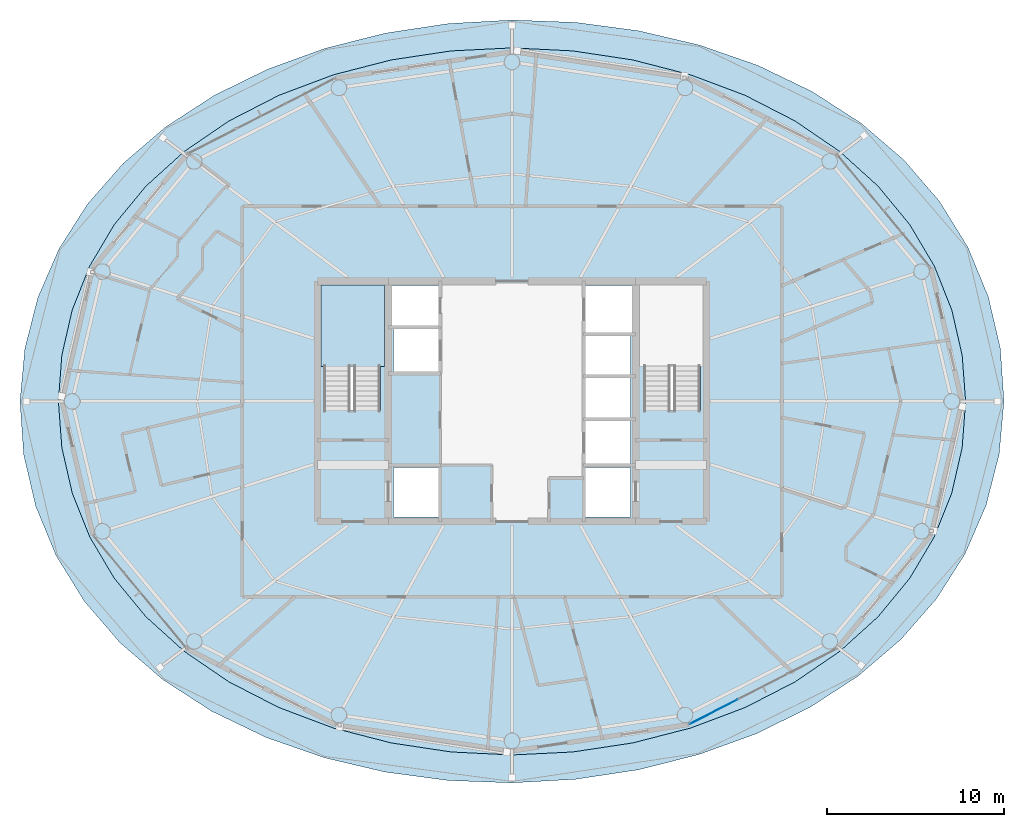
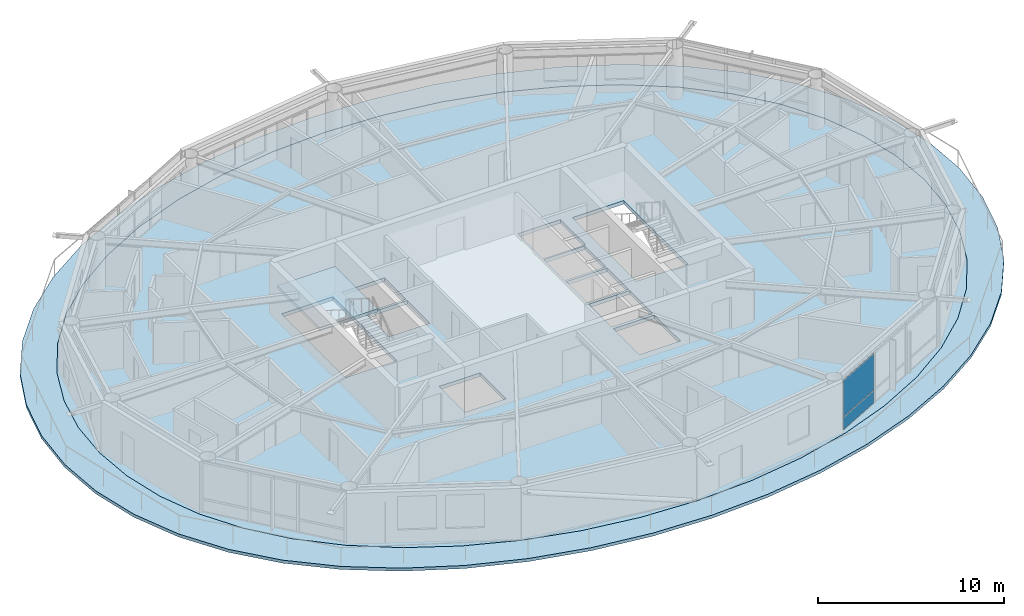
# One storey, part 13 of 22: 3 slabs, 2 plates, 2 elements without a shape of their own.
"""IFC4 building model written with IfcOpenShell, lengths in metres."""

from ifc_helpers import new_model, si_unit, direction, frame, origin, origin_2d, place, context, subcontext, project, spatial, polyline, rectangle, outline, extrude, material, layer, layer_set, type_object, element, aggregate, save


model = new_model("IFC4")

# Units and contexts
model_context = context("Model", 3, precision=1e-05, world=origin(), true_north=direction((0.0, 1.0)))
body_context = subcontext(model_context, "Body", "Model", "MODEL_VIEW")
ifc_project = project(units=[si_unit("LENGTHUNIT", "METRE"), si_unit("AREAUNIT", "SQUARE_METRE"), si_unit("VOLUMEUNIT", "CUBIC_METRE"), si_unit("PLANEANGLEUNIT", "RADIAN"), si_unit("MASSUNIT", "GRAM", prefix="KILO")], contexts=[model_context])

# Site, building, storey
site_placement = place(None, origin())
site = spatial("IfcSite", under=ifc_project, at=site_placement, CompositionType="ELEMENT")
building_placement = place(site_placement, origin())
building = spatial("IfcBuilding", under=site, at=building_placement, Name="Sarneth Arch Tower", CompositionType="ELEMENT")
storey_placement = place(building_placement, frame((0.0, 0.0, 210.0)))
storey = spatial("IfcBuildingStorey", under=building, at=storey_placement, Name="L53", CompositionType="ELEMENT", Elevation=210.0)

# Curtain wall, plates
ifc_material_1 = material(Name="Anodised aluminium Type AA25 and solar-control low-e laminated IGU", Category="aluminium")
ifc_layer_1 = layer(ifc_material_1, 0.179931640625)
ifc_layer_set_1 = layer_set([ifc_layer_1], Name="Anodised aluminium Type AA25 and solar-control low-e laminated IGU")
curtain_wall_type = type_object("IfcCurtainWallType", Name="CW-RES-HIGH", PredefinedType="NOTDEFINED", material=ifc_layer_set_1)
curtain_wall_placement = place(storey_placement, origin())
curtain_wall = element("IfcCurtainWall", 1, at=curtain_wall_placement, inside=storey, type_object=curtain_wall_type, Name="L53 Unitised curtain wall facet 14", PredefinedType="NOTDEFINED")
ifc_material_2 = material(Name="Solar-control low-e laminated IGU", Category="glass")
ifc_layer_2 = layer(ifc_material_2, 0.028076171875)
ifc_layer_set_2 = layer_set([ifc_layer_2], Name="Solar-control low-e laminated IGU")
plate_type = type_object("IfcPlateType", Name="CW-PANEL", PredefinedType="CURTAIN_PANEL", material=ifc_layer_set_2)
plate_1_placement = place(storey_placement, frame((59.4208984375, 24.447021484375, 0.06005859375), z_axis=(0.0, 0.0, 1.0), x_axis=(0.890009540525, 0.455941901753, 0.0)))
plate_1 = element("IfcPlate", 2, at=plate_1_placement, type_object=plate_type, Name="Curtain wall glazed vision pane CW-L53-F14/P00-00", PredefinedType="CURTAIN_PANEL", context=body_context, shape_type="SweptSolid", body=[
    extrude(rectangle(XDim=3.044677734375, YDim=0.028076171875, at=origin_2d()), origin(), (0.0, 0.0, 1.0), 0.81005859375),
])
plate_2_placement = place(storey_placement, frame((59.4208984375, 24.447021484375, 0.929931640625), z_axis=(0.0, 0.0, 1.0), x_axis=(0.890009540525, 0.455941901753, 0.0)))
plate_2 = element("IfcPlate", 3, at=plate_2_placement, type_object=plate_type, Name="Curtain wall glazed vision pane CW-L53-F14/P00-01", PredefinedType="CURTAIN_PANEL", context=body_context, shape_type="SweptSolid", body=[
    extrude(rectangle(XDim=3.044677734375, YDim=0.028076171875, at=origin_2d()), origin(), (0.0, 0.0, 1.0), 2.3701171875),
])
aggregate(curtain_wall, [plate_1, plate_2])

# Slab
ifc_material_3 = material(Name="Concrete C50/60", Category="concrete")
ifc_layer_3 = layer(ifc_material_3, 0.199951171875)
ifc_layer_set_3 = layer_set([ifc_layer_3], Name="Concrete C50/60")
slab_type_1 = type_object("IfcSlabType", Name="SLAB-BALC-200", PredefinedType="FLOOR", material=ifc_layer_set_3)
slab_1_placement = place(storey_placement, frame((0.0, 0.0, -0.199951171875)))
element("IfcSlab", 4, at=slab_1_placement, inside=storey, type_object=slab_type_1, Name="L53 Helical balcony band slab", PredefinedType="FLOOR", context=body_context, shape_type="SweptSolid", body=[
    extrude(outline(polyline([(75.832763671875, 42.0), (75.6279296875, 44.99658203125), (74.945556640625, 47.925537109375), (73.795166015625, 50.71533203125), (72.193359375, 53.308837890625), (70.1650390625, 55.6630859375), (67.74365234375, 57.74609375), (64.974609375, 59.53369140625), (61.91357421875, 61.0078125), (58.623046875, 62.155517578125), (55.1669921875, 62.96875), (51.60693359375, 63.443359375), (48.0, 63.578125), (44.39990234375, 63.375244140625), (40.859375, 62.83935546875), (37.432861328125, 61.97705078125), (34.177978515625, 60.7978515625), (31.1533203125, 59.312744140625), (28.415283203125, 57.534912109375), (26.013427734375, 55.48046875), (23.987548828125, 53.168701171875), (22.3681640625, 50.624267578125), (21.1787109375, 47.880615234375), (20.439453125, 44.984619140625), (20.167236328125, 42.0), (20.3720703125, 39.00341796875), (21.054443359375, 36.074462890625), (22.204833984375, 33.28466796875), (23.806640625, 30.691162109375), (25.8349609375, 28.3369140625), (28.25634765625, 26.25390625), (31.025390625, 24.46630859375), (34.08642578125, 22.9921875), (37.376953125, 21.844482421875), (40.8330078125, 21.03125), (44.39306640625, 20.556640625), (48.0, 20.421875), (51.60009765625, 20.624755859375), (55.140625, 21.16064453125), (58.567138671875, 22.02294921875), (61.822021484375, 23.2021484375), (64.8466796875, 24.687255859375), (67.584716796875, 26.465087890625), (69.986572265625, 28.51953125), (72.012451171875, 30.831298828125), (73.6318359375, 33.375732421875), (74.8212890625, 36.119384765625), (75.560546875, 39.015380859375), (75.832763671875, 42.0)]), holes=[polyline([(73.660888671875, 42.0), (73.466064453125, 44.610595703125), (72.87890625, 47.17626953125), (71.892822265625, 49.653564453125), (70.5029296875, 52.0), (68.712158203125, 54.17529296875), (66.536865234375, 56.14208984375), (64.009521484375, 57.8671875), (61.177001953125, 59.320556640625), (58.0966796875, 60.4775390625), (54.83203125, 61.318603515625), (51.44580078125, 61.828857421875), (48.0, 62.0), (44.55419921875, 61.828857421875), (41.16796875, 61.318603515625), (37.9033203125, 60.4775390625), (34.822998046875, 59.320556640625), (31.990478515625, 57.8671875), (29.463134765625, 56.14208984375), (27.287841796875, 54.17529296875), (25.4970703125, 52.0), (24.107177734375, 49.653564453125), (23.12109375, 47.17626953125), (22.533935546875, 44.610595703125), (22.339111328125, 42.0), (22.533935546875, 39.389404296875), (23.12109375, 36.82373046875), (24.107177734375, 34.346435546875), (25.4970703125, 32.0), (27.287841796875, 29.82470703125), (29.463134765625, 27.85791015625), (31.990478515625, 26.1328125), (34.822998046875, 24.679443359375), (37.9033203125, 23.5224609375), (41.16796875, 22.681396484375), (44.55419921875, 22.171142578125), (48.0, 22.0), (51.44580078125, 22.171142578125), (54.83203125, 22.681396484375), (58.0966796875, 23.5224609375), (61.177001953125, 24.679443359375), (64.009521484375, 26.1328125), (66.536865234375, 27.85791015625), (68.712158203125, 29.82470703125), (70.5029296875, 32.0), (71.892822265625, 34.346435546875), (72.87890625, 36.82373046875), (73.466064453125, 39.389404296875), (73.660888671875, 42.0)])]), origin(), (0.0, 0.0, 1.0), 0.199951171875),
])

# Stair, slab
ifc_material_4 = material(Name="Concrete C50/60", Category="concrete")
stair_type = type_object("IfcStairType", Name="STAIR-CORE-RC", PredefinedType="HALF_TURN_STAIR", material=ifc_material_4)
stair_placement = place(storey_placement, origin())
stair = element("IfcStair", 5, at=stair_placement, inside=storey, type_object=stair_type, Name="L53 Core Exit Stair 1", PredefinedType="HALF_TURN_STAIR")
ifc_material_5 = material(Name="Concrete C50/60", Category="concrete")
ifc_layer_4 = layer(ifc_material_5, 0.199951171875)
ifc_layer_set_4 = layer_set([ifc_layer_4], Name="Concrete C50/60")
slab_type_2 = type_object("IfcSlabType", Name="SLAB-LANDING-200", PredefinedType="LANDING", material=ifc_layer_set_4)
slab_2_placement = place(storey_placement, frame((0.0, 0.0, 1.60009765625)))
slab_2 = element("IfcSlab", 6, at=slab_2_placement, type_object=slab_type_2, Name="ST-1 landing 1", PredefinedType="LANDING", context=body_context, shape_type="SweptSolid", body=[
    extrude(outline(polyline([(37.199951171875, 43.985107421875), (40.800048828125, 43.985107421875), (40.800048828125, 48.60009765625), (37.199951171875, 48.60009765625), (37.199951171875, 43.985107421875)])), origin(), (0.0, 0.0, 1.0), 0.199951171875),
])
aggregate(stair, [slab_2])

# Slab
ifc_material_6 = material(Name="Concrete C50/60", Category="concrete")
ifc_layer_5 = layer(ifc_material_6, 0.239990234375)
ifc_layer_set_5 = layer_set([ifc_layer_5], Name="Concrete C50/60")
slab_type_3 = type_object("IfcSlabType", Name="SLAB-TOWER-240", PredefinedType="FLOOR", material=ifc_layer_set_5)
slab_3_placement = place(storey_placement, frame((0.0, 0.0, -0.239990234375)))
element("IfcSlab", 7, at=slab_3_placement, inside=storey, type_object=slab_type_3, Name="L53 Elliptical floor slab", PredefinedType="FLOOR", context=body_context, shape_type="SweptSolid", body=[
    extrude(outline(polyline([(73.660888671875, 42.0), (73.466064453125, 44.610595703125), (72.87890625, 47.17626953125), (71.892822265625, 49.653564453125), (70.5029296875, 52.0), (68.712158203125, 54.17529296875), (66.536865234375, 56.14208984375), (64.009521484375, 57.8671875), (61.177001953125, 59.320556640625), (58.0966796875, 60.4775390625), (54.83203125, 61.318603515625), (51.44580078125, 61.828857421875), (48.0, 62.0), (44.55419921875, 61.828857421875), (41.16796875, 61.318603515625), (37.9033203125, 60.4775390625), (34.822998046875, 59.320556640625), (31.990478515625, 57.8671875), (29.463134765625, 56.14208984375), (27.287841796875, 54.17529296875), (25.4970703125, 52.0), (24.107177734375, 49.653564453125), (23.12109375, 47.17626953125), (22.533935546875, 44.610595703125), (22.339111328125, 42.0), (22.533935546875, 39.389404296875), (23.12109375, 36.82373046875), (24.107177734375, 34.346435546875), (25.4970703125, 32.0), (27.287841796875, 29.82470703125), (29.463134765625, 27.85791015625), (31.990478515625, 26.1328125), (34.822998046875, 24.679443359375), (37.9033203125, 23.5224609375), (41.16796875, 22.681396484375), (44.55419921875, 22.171142578125), (48.0, 22.0), (51.44580078125, 22.171142578125), (54.83203125, 22.681396484375), (58.0966796875, 23.5224609375), (61.177001953125, 24.679443359375), (64.009521484375, 26.1328125), (66.536865234375, 27.85791015625), (68.712158203125, 29.82470703125), (70.5029296875, 32.0), (71.892822265625, 34.346435546875), (72.87890625, 36.82373046875), (73.466064453125, 39.389404296875), (73.660888671875, 42.0)]), holes=[polyline([(37.35009765625, 41.489990234375), (40.550048828125, 41.489990234375), (40.550048828125, 48.39990234375), (37.35009765625, 48.39990234375), (37.35009765625, 41.489990234375)]), polyline([(55.449951171875, 41.489990234375), (58.64990234375, 41.489990234375), (58.64990234375, 48.39990234375), (55.449951171875, 48.39990234375), (55.449951171875, 41.489990234375)]), polyline([(41.199951171875, 46.25), (43.85009765625, 46.25), (43.85009765625, 48.550048828125), (41.199951171875, 48.550048828125), (41.199951171875, 46.25)]), polyline([(41.300048828125, 35.449951171875), (43.85009765625, 35.449951171875), (43.85009765625, 38.25), (41.300048828125, 38.25), (41.300048828125, 35.449951171875)]), polyline([(52.14990234375, 35.449951171875), (54.699951171875, 35.449951171875), (54.699951171875, 38.25), (52.14990234375, 38.25), (52.14990234375, 35.449951171875)]), polyline([(52.14990234375, 45.85009765625), (54.800048828125, 45.85009765625), (54.800048828125, 48.550048828125), (52.14990234375, 48.550048828125), (52.14990234375, 45.85009765625)]), polyline([(41.300048828125, 43.64990234375), (43.85009765625, 43.64990234375), (43.85009765625, 46.10009765625), (41.300048828125, 46.10009765625), (41.300048828125, 43.64990234375)]), polyline([(52.14990234375, 38.449951171875), (54.699951171875, 38.449951171875), (54.699951171875, 40.89990234375), (52.14990234375, 40.89990234375), (52.14990234375, 38.449951171875)]), polyline([(52.14990234375, 41.050048828125), (54.699951171875, 41.050048828125), (54.699951171875, 43.35009765625), (52.14990234375, 43.35009765625), (52.14990234375, 41.050048828125)]), polyline([(52.14990234375, 43.5), (54.699951171875, 43.5), (54.699951171875, 45.75), (52.14990234375, 45.75), (52.14990234375, 43.5)])]), origin(), (0.0, 0.0, 1.0), 0.239990234375),
])

save(model, "model.ifc")
